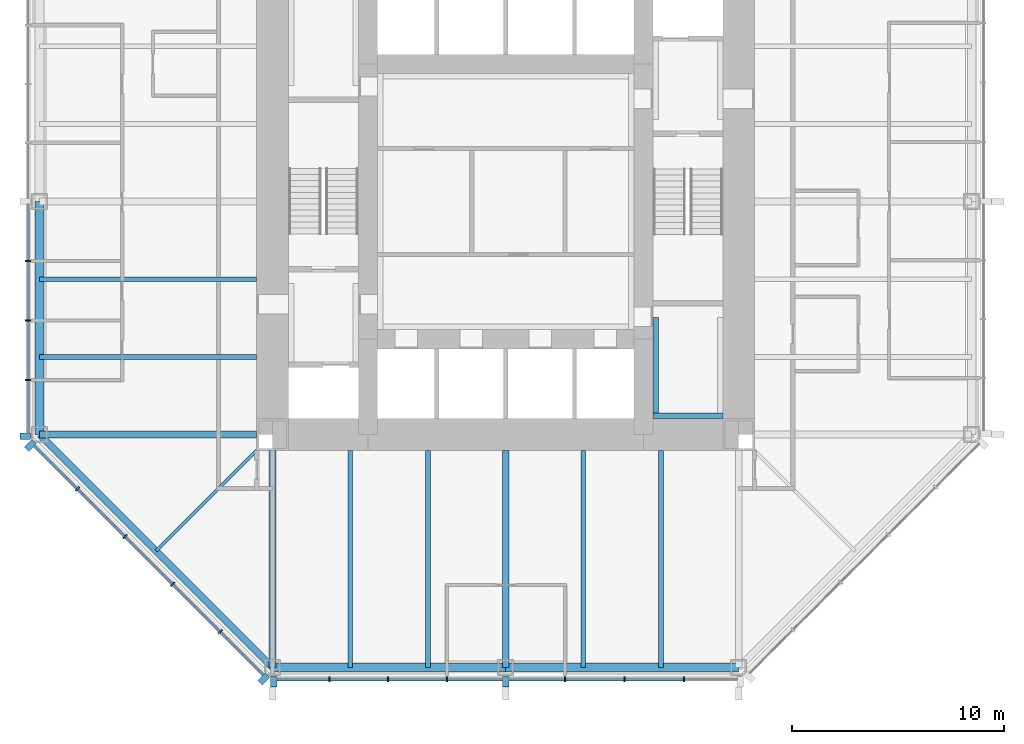
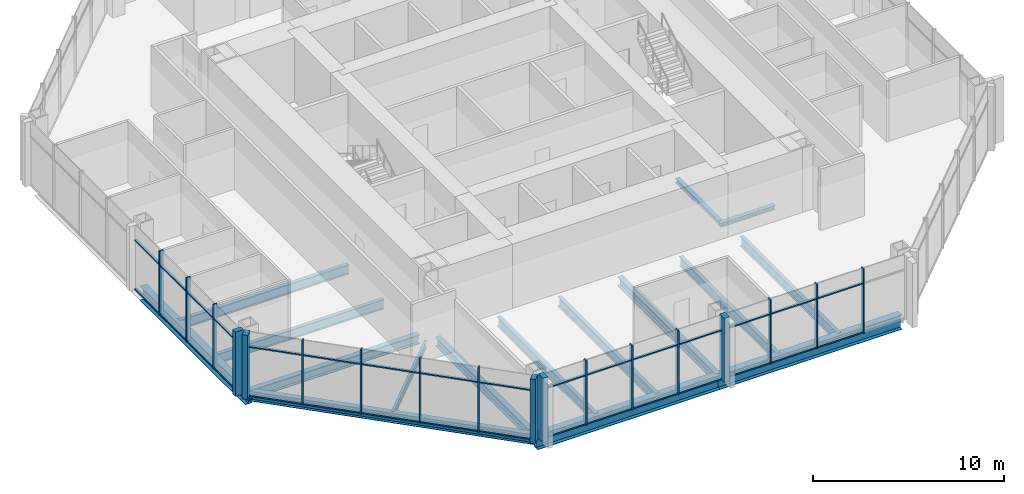
# One storey, part 2 of 12: 50 members, 16 beams, 3 elements without a shape of their own.
"""IFC4 building model written with IfcOpenShell, lengths in metres."""

from ifc_helpers import new_model, si_unit, direction, frame, origin, origin_2d, place, context, subcontext, project, spatial, rectangle, i_section, extrude, material, material_profile, profile_set, type_object, element, aggregate, save


model = new_model("IFC4")

# Units and contexts
model_context = context("Model", 3, precision=1e-05, world=origin(), true_north=direction((0.0, 1.0)))
body_context = subcontext(model_context, "Body", "Model", "MODEL_VIEW")
ifc_project = project(units=[si_unit("LENGTHUNIT", "METRE"), si_unit("AREAUNIT", "SQUARE_METRE"), si_unit("VOLUMEUNIT", "CUBIC_METRE"), si_unit("PLANEANGLEUNIT", "RADIAN"), si_unit("MASSUNIT", "GRAM", prefix="KILO")], contexts=[model_context])

# Site, building, storey
site_placement = place(None, origin())
site = spatial("IfcSite", under=ifc_project, at=site_placement, CompositionType="ELEMENT")
building_placement = place(site_placement, origin())
building = spatial("IfcBuilding", under=site, at=building_placement, Name="Trevanion Tower", CompositionType="ELEMENT")
storey_placement = place(building_placement, frame((0.0, 0.0, 133.60009765625)))
storey = spatial("IfcBuildingStorey", under=building, at=storey_placement, Name="L31", CompositionType="ELEMENT", Elevation=133.60009765625)

# Beams
ifc_material_1 = material(Name="Steel ASTM A992 Grade 50", Category="steel")
ifc_material_profile_1 = material_profile(ifc_material_1, i_section(OverallWidth=0.22900390625, OverallDepth=0.612060546875, WebThickness=0.011962890625, FlangeThickness=0.01953125, at=origin_2d()), Name="W24X84")
ifc_profile_set_1 = profile_set([ifc_material_profile_1], Name="Steel ASTM A992 Grade 50")
beam_type_1 = type_object("IfcBeamType", Name="B7 W24X84", PredefinedType="BEAM", material=ifc_profile_set_1)
for number, where, z_axis, x_axis, name in (
    (1, (-11.75, -3.666748046875, -0.49609375), (-1.0, 0.0, 0.0), (0.0, -1.0, 0.0), "B7 L31"),
    (2, (-11.75, -7.333251953125, -0.49609375), (-1.0, 0.0, 0.0), (0.0, -1.0, 0.0), "B7 L31"),
    (3, (-7.333251953125, -11.75, -0.49609375), (0.0, -1.0, 0.0), (1.0, 0.0, 0.0), "B7 L31"),
    (4, (-3.666748046875, -11.75, -0.49609375), (0.0, -1.0, 0.0), (1.0, 0.0, 0.0), "B7 L31"),
    (5, (3.666748046875, -11.75, -0.49609375), (0.0, -1.0, 0.0), (1.0, 0.0, 0.0), "B7 L31"),
    (6, (7.333251953125, -11.75, -0.49609375), (0.0, -1.0, 0.0), (1.0, 0.0, 0.0), "B7 L31"),
):
    element("IfcBeam", number, at=place(storey_placement, frame(where, z_axis=z_axis, x_axis=x_axis)), inside=storey, type_object=beam_type_1, Name=name, PredefinedType="BEAM", context=body_context, shape_type="SweptSolid", body=[
        extrude(i_section(OverallWidth=0.22900390625, OverallDepth=0.612060546875, WebThickness=0.011962890625, FlangeThickness=0.01953125, at=origin_2d()), origin(), (0.0, 0.0, 1.0), 10.25),
    ])
ifc_material_2 = material(Name="Steel ASTM A992 Grade 50", Category="steel")
ifc_material_profile_2 = material_profile(ifc_material_2, i_section(OverallWidth=0.15234375, OverallDepth=0.449462890625, WebThickness=0.007568359375, FlangeThickness=0.0107421875, at=origin_2d()), Name="W18X35")
ifc_profile_set_2 = profile_set([ifc_material_profile_2], Name="Steel ASTM A992 Grade 50")
beam_type_2 = type_object("IfcBeamType", Name="B8 W18X35", PredefinedType="BEAM", material=ifc_profile_set_2)
beam_1_placement = place(storey_placement, frame((-11.75, -11.75, -0.414794921875), z_axis=(-0.707106781187, -0.707106781187, 0.0), x_axis=(0.707106781187, -0.707106781187, 0.0)))
element("IfcBeam", 7, at=beam_1_placement, inside=storey, type_object=beam_type_2, Name="B8 L31", PredefinedType="BEAM", context=body_context, shape_type="SweptSolid", body=[
    extrude(i_section(OverallWidth=0.15234375, OverallDepth=0.449462890625, WebThickness=0.007568359375, FlangeThickness=0.0107421875, at=origin_2d()), origin(), (0.0, 0.0, 1.0), 6.717529296875),
])

# Curtain wall, members
ifc_material_3 = material(Name="Aluminium and glass", Category="aluminium")
curtain_wall_type = type_object("IfcCurtainWallType", Name="CW2 curtain wall", PredefinedType="USERDEFINED", material=ifc_material_3)
curtain_wall_1_placement = place(storey_placement, origin())
curtain_wall_1 = element("IfcCurtainWall", 8, at=curtain_wall_1_placement, inside=storey, type_object=curtain_wall_type, Name="CW2 L31 4", ObjectType="UNITISED CURTAIN WALL", PredefinedType="USERDEFINED")
ifc_material_4 = material(Name="Aluminium extrusion, anodised bronze", Category="aluminium")
ifc_material_profile_3 = material_profile(ifc_material_4, rectangle(XDim=0.074951171875, YDim=0.25, at=origin_2d()), Name="CW2 mullion")
ifc_profile_set_3 = profile_set([ifc_material_profile_3], Name="Aluminium extrusion, anodised bronze")
member_type_1 = type_object("IfcMemberType", Name="CW2 mullion", PredefinedType="MULLION", material=ifc_profile_set_3)
member_1_placement = place(storey_placement, frame((-22.550048828125, -2.806884765625, -0.190185546875), z_axis=(0.0, 0.0, 1.0), x_axis=(0.0, -1.0, 0.0)))
member_1 = element("IfcMember", 9, at=member_1_placement, type_object=member_type_1, Name="CW2 mullion 6", PredefinedType="MULLION", context=body_context, shape_type="SweptSolid", body=[
    extrude(rectangle(XDim=0.074951171875, YDim=0.25, at=origin_2d()), origin(), (0.0, 0.0, 1.0), 4.10009765625),
])
member_2_placement = place(storey_placement, frame((-22.550048828125, -5.614013671875, -0.190185546875), z_axis=(0.0, 0.0, 1.0), x_axis=(0.0, -1.0, 0.0)))
member_2 = element("IfcMember", 10, at=member_2_placement, type_object=member_type_1, Name="CW2 mullion 7", PredefinedType="MULLION", context=body_context, shape_type="SweptSolid", body=[
    extrude(rectangle(XDim=0.074951171875, YDim=0.25, at=origin_2d()), origin(), (0.0, 0.0, 1.0), 4.10009765625),
])
member_3_placement = place(storey_placement, frame((-22.550048828125, -8.4208984375, -0.190185546875), z_axis=(0.0, 0.0, 1.0), x_axis=(0.0, -1.0, 0.0)))
member_3 = element("IfcMember", 11, at=member_3_placement, type_object=member_type_1, Name="CW2 mullion 8", PredefinedType="MULLION", context=body_context, shape_type="SweptSolid", body=[
    extrude(rectangle(XDim=0.074951171875, YDim=0.25, at=origin_2d()), origin(), (0.0, 0.0, 1.0), 4.10009765625),
])

curtain_wall_2_placement = place(storey_placement, origin())
curtain_wall_2 = element("IfcCurtainWall", 12, at=curtain_wall_2_placement, inside=storey, type_object=curtain_wall_type, Name="CW2 L31 5", ObjectType="UNITISED CURTAIN WALL", PredefinedType="USERDEFINED")
member_4_placement = place(storey_placement, frame((-20.2119140625, -13.56591796875, -0.190185546875), z_axis=(0.0, 0.0, 1.0), x_axis=(0.707106781187, -0.707106781187, 0.0)))
member_4 = element("IfcMember", 13, at=member_4_placement, type_object=member_type_1, Name="CW2 mullion 2", PredefinedType="MULLION", context=body_context, shape_type="SweptSolid", body=[
    extrude(rectangle(XDim=0.074951171875, YDim=0.25, at=origin_2d()), origin(), (0.0, 0.0, 1.0), 4.10009765625),
])
member_5_placement = place(storey_placement, frame((-17.966064453125, -15.811767578125, -0.190185546875), z_axis=(0.0, 0.0, 1.0), x_axis=(0.707106781187, -0.707106781187, 0.0)))
member_5 = element("IfcMember", 14, at=member_5_placement, type_object=member_type_1, Name="CW2 mullion 3", PredefinedType="MULLION", context=body_context, shape_type="SweptSolid", body=[
    extrude(rectangle(XDim=0.074951171875, YDim=0.25, at=origin_2d()), origin(), (0.0, 0.0, 1.0), 4.10009765625),
])
member_6_placement = place(storey_placement, frame((-15.719970703125, -18.057861328125, -0.190185546875), z_axis=(0.0, 0.0, 1.0), x_axis=(0.707106781187, -0.707106781187, 0.0)))
member_6 = element("IfcMember", 15, at=member_6_placement, type_object=member_type_1, Name="CW2 mullion 4", PredefinedType="MULLION", context=body_context, shape_type="SweptSolid", body=[
    extrude(rectangle(XDim=0.074951171875, YDim=0.25, at=origin_2d()), origin(), (0.0, 0.0, 1.0), 4.10009765625),
])
member_7_placement = place(storey_placement, frame((-13.473876953125, -20.303955078125, -0.190185546875), z_axis=(0.0, 0.0, 1.0), x_axis=(0.707106781187, -0.707106781187, 0.0)))
member_7 = element("IfcMember", 16, at=member_7_placement, type_object=member_type_1, Name="CW2 mullion 5", PredefinedType="MULLION", context=body_context, shape_type="SweptSolid", body=[
    extrude(rectangle(XDim=0.074951171875, YDim=0.25, at=origin_2d()), origin(), (0.0, 0.0, 1.0), 4.10009765625),
])

curtain_wall_3_placement = place(storey_placement, origin())
curtain_wall_3 = element("IfcCurtainWall", 17, at=curtain_wall_3_placement, inside=storey, type_object=curtain_wall_type, Name="CW2 L31 6", ObjectType="UNITISED CURTAIN WALL", PredefinedType="USERDEFINED")
member_8_placement = place(storey_placement, frame((-8.323486328125, -22.550048828125, -0.190185546875), z_axis=(0.0, 0.0, 1.0), x_axis=(1.0, 0.0, 0.0)))
member_8 = element("IfcMember", 18, at=member_8_placement, type_object=member_type_1, Name="CW2 mullion 2", PredefinedType="MULLION", context=body_context, shape_type="SweptSolid", body=[
    extrude(rectangle(XDim=0.074951171875, YDim=0.25, at=origin_2d()), origin(), (0.0, 0.0, 1.0), 4.10009765625),
])
member_9_placement = place(storey_placement, frame((-5.548828125, -22.550048828125, -0.190185546875), z_axis=(0.0, 0.0, 1.0), x_axis=(1.0, 0.0, 0.0)))
member_9 = element("IfcMember", 19, at=member_9_placement, type_object=member_type_1, Name="CW2 mullion 3", PredefinedType="MULLION", context=body_context, shape_type="SweptSolid", body=[
    extrude(rectangle(XDim=0.074951171875, YDim=0.25, at=origin_2d()), origin(), (0.0, 0.0, 1.0), 4.10009765625),
])
member_10_placement = place(storey_placement, frame((-2.7744140625, -22.550048828125, -0.190185546875), z_axis=(0.0, 0.0, 1.0), x_axis=(1.0, 0.0, 0.0)))
member_10 = element("IfcMember", 20, at=member_10_placement, type_object=member_type_1, Name="CW2 mullion 4", PredefinedType="MULLION", context=body_context, shape_type="SweptSolid", body=[
    extrude(rectangle(XDim=0.074951171875, YDim=0.25, at=origin_2d()), origin(), (0.0, 0.0, 1.0), 4.10009765625),
])
member_11_placement = place(storey_placement, frame((2.806884765625, -22.550048828125, -0.190185546875), z_axis=(0.0, 0.0, 1.0), x_axis=(1.0, 0.0, 0.0)))
member_11 = element("IfcMember", 21, at=member_11_placement, type_object=member_type_1, Name="CW2 mullion 6", PredefinedType="MULLION", context=body_context, shape_type="SweptSolid", body=[
    extrude(rectangle(XDim=0.074951171875, YDim=0.25, at=origin_2d()), origin(), (0.0, 0.0, 1.0), 4.10009765625),
])
member_12_placement = place(storey_placement, frame((5.614013671875, -22.550048828125, -0.190185546875), z_axis=(0.0, 0.0, 1.0), x_axis=(1.0, 0.0, 0.0)))
member_12 = element("IfcMember", 22, at=member_12_placement, type_object=member_type_1, Name="CW2 mullion 7", PredefinedType="MULLION", context=body_context, shape_type="SweptSolid", body=[
    extrude(rectangle(XDim=0.074951171875, YDim=0.25, at=origin_2d()), origin(), (0.0, 0.0, 1.0), 4.10009765625),
])
member_13_placement = place(storey_placement, frame((8.4208984375, -22.550048828125, -0.190185546875), z_axis=(0.0, 0.0, 1.0), x_axis=(1.0, 0.0, 0.0)))
member_13 = element("IfcMember", 23, at=member_13_placement, type_object=member_type_1, Name="CW2 mullion 8", PredefinedType="MULLION", context=body_context, shape_type="SweptSolid", body=[
    extrude(rectangle(XDim=0.074951171875, YDim=0.25, at=origin_2d()), origin(), (0.0, 0.0, 1.0), 4.10009765625),
])

# Member
ifc_material_5 = material(Name="Aluminium extrusion, anodised bronze", Category="aluminium")
ifc_material_profile_4 = material_profile(ifc_material_5, rectangle(XDim=0.300048828125, YDim=0.5, at=origin_2d()), Name="CW2 pier mullion")
ifc_profile_set_4 = profile_set([ifc_material_profile_4], Name="Aluminium extrusion, anodised bronze")
member_type_2 = type_object("IfcMemberType", Name="CW2 pier mullion", PredefinedType="MULLION", material=ifc_profile_set_4)
member_14_placement = place(storey_placement, frame((-22.675048828125, -11.077880859375, -0.190185546875), z_axis=(0.0, 0.0, 1.0), x_axis=(0.0, -1.0, 0.0)))
member_14 = element("IfcMember", 24, at=member_14_placement, type_object=member_type_2, Name="CW2 pier mullion 9", PredefinedType="MULLION", context=body_context, shape_type="SweptSolid", body=[
    extrude(rectangle(XDim=0.300048828125, YDim=0.5, at=origin_2d()), origin(), (0.0, 0.0, 1.0), 4.10009765625),
])

member_15_placement = place(storey_placement, frame((-22.4404296875, -11.51416015625, -0.190185546875), z_axis=(0.0, 0.0, 1.0), x_axis=(0.707106781187, -0.707106781187, 0.0)))
member_15 = element("IfcMember", 25, at=member_15_placement, type_object=member_type_2, Name="CW2 pier mullion 1", PredefinedType="MULLION", context=body_context, shape_type="SweptSolid", body=[
    extrude(rectangle(XDim=0.300048828125, YDim=0.5, at=origin_2d()), origin(), (0.0, 0.0, 1.0), 4.10009765625),
])

member_16_placement = place(storey_placement, frame((-11.42236328125, -22.5322265625, -0.190185546875), z_axis=(0.0, 0.0, 1.0), x_axis=(0.707106781187, -0.707106781187, 0.0)))
member_16 = element("IfcMember", 26, at=member_16_placement, type_object=member_type_2, Name="CW2 pier mullion 6", PredefinedType="MULLION", context=body_context, shape_type="SweptSolid", body=[
    extrude(rectangle(XDim=0.300048828125, YDim=0.5, at=origin_2d()), origin(), (0.0, 0.0, 1.0), 4.10009765625),
])

member_17_placement = place(storey_placement, frame((-10.94775390625, -22.675048828125, -0.190185546875), z_axis=(0.0, 0.0, 1.0), x_axis=(1.0, 0.0, 0.0)))
member_17 = element("IfcMember", 27, at=member_17_placement, type_object=member_type_2, Name="CW2 pier mullion 1", PredefinedType="MULLION", context=body_context, shape_type="SweptSolid", body=[
    extrude(rectangle(XDim=0.300048828125, YDim=0.5, at=origin_2d()), origin(), (0.0, 0.0, 1.0), 4.10009765625),
])

member_18_placement = place(storey_placement, frame((0.0, -22.675048828125, -0.190185546875), z_axis=(0.0, 0.0, 1.0), x_axis=(1.0, 0.0, 0.0)))
member_18 = element("IfcMember", 28, at=member_18_placement, type_object=member_type_2, Name="CW2 pier mullion 5", PredefinedType="MULLION", context=body_context, shape_type="SweptSolid", body=[
    extrude(rectangle(XDim=0.300048828125, YDim=0.5, at=origin_2d()), origin(), (0.0, 0.0, 1.0), 4.10009765625),
])

ifc_material_6 = material(Name="Aluminium extrusion, anodised bronze", Category="aluminium")
ifc_material_profile_5 = material_profile(ifc_material_6, rectangle(XDim=0.14990234375, YDim=0.074951171875, at=origin_2d()), Name="CW2 transom")
ifc_profile_set_5 = profile_set([ifc_material_profile_5], Name="Aluminium extrusion, anodised bronze")
member_type_3 = type_object("IfcMemberType", Name="CW2 transom", PredefinedType="USERDEFINED", material=ifc_profile_set_5)
member_19_placement = place(storey_placement, frame((-22.550048828125, -0.14990234375, -0.152587890625), z_axis=(0.0, -1.0, 0.0), x_axis=(1.0, 0.0, 0.0)))
member_19 = element("IfcMember", 29, at=member_19_placement, type_object=member_type_3, Name="CW2 transom 5.1", ObjectType="TRANSOM", PredefinedType="USERDEFINED", context=body_context, shape_type="SweptSolid", body=[
    extrude(rectangle(XDim=0.14990234375, YDim=0.074951171875, at=origin_2d()), origin(), (0.0, 0.0, 1.0), 2.619384765625),
])

member_20_placement = place(storey_placement, frame((-22.550048828125, -0.14990234375, 2.9599609375), z_axis=(0.0, -1.0, 0.0), x_axis=(1.0, 0.0, 0.0)))
member_20 = element("IfcMember", 30, at=member_20_placement, type_object=member_type_3, Name="CW2 transom 5.2", ObjectType="TRANSOM", PredefinedType="USERDEFINED", context=body_context, shape_type="SweptSolid", body=[
    extrude(rectangle(XDim=0.14990234375, YDim=0.074951171875, at=origin_2d()), origin(), (0.0, 0.0, 1.0), 2.619384765625),
])

member_21_placement = place(storey_placement, frame((-22.550048828125, -2.844482421875, -0.152587890625), z_axis=(0.0, -1.0, 0.0), x_axis=(1.0, 0.0, 0.0)))
member_21 = element("IfcMember", 31, at=member_21_placement, type_object=member_type_3, Name="CW2 transom 6.1", ObjectType="TRANSOM", PredefinedType="USERDEFINED", context=body_context, shape_type="SweptSolid", body=[
    extrude(rectangle(XDim=0.14990234375, YDim=0.074951171875, at=origin_2d()), origin(), (0.0, 0.0, 1.0), 2.73193359375),
])

member_22_placement = place(storey_placement, frame((-22.550048828125, -2.844482421875, 2.9599609375), z_axis=(0.0, -1.0, 0.0), x_axis=(1.0, 0.0, 0.0)))
member_22 = element("IfcMember", 32, at=member_22_placement, type_object=member_type_3, Name="CW2 transom 6.2", ObjectType="TRANSOM", PredefinedType="USERDEFINED", context=body_context, shape_type="SweptSolid", body=[
    extrude(rectangle(XDim=0.14990234375, YDim=0.074951171875, at=origin_2d()), origin(), (0.0, 0.0, 1.0), 2.73193359375),
])

member_23_placement = place(storey_placement, frame((-22.550048828125, -5.6513671875, -0.152587890625), z_axis=(0.0, -1.0, 0.0), x_axis=(1.0, 0.0, 0.0)))
member_23 = element("IfcMember", 33, at=member_23_placement, type_object=member_type_3, Name="CW2 transom 7.1", ObjectType="TRANSOM", PredefinedType="USERDEFINED", context=body_context, shape_type="SweptSolid", body=[
    extrude(rectangle(XDim=0.14990234375, YDim=0.074951171875, at=origin_2d()), origin(), (0.0, 0.0, 1.0), 2.73193359375),
])

member_24_placement = place(storey_placement, frame((-22.550048828125, -5.6513671875, 2.9599609375), z_axis=(0.0, -1.0, 0.0), x_axis=(1.0, 0.0, 0.0)))
member_24 = element("IfcMember", 34, at=member_24_placement, type_object=member_type_3, Name="CW2 transom 7.2", ObjectType="TRANSOM", PredefinedType="USERDEFINED", context=body_context, shape_type="SweptSolid", body=[
    extrude(rectangle(XDim=0.14990234375, YDim=0.074951171875, at=origin_2d()), origin(), (0.0, 0.0, 1.0), 2.73193359375),
])

member_25_placement = place(storey_placement, frame((-22.550048828125, -8.45849609375, -0.152587890625), z_axis=(0.0, -1.0, 0.0), x_axis=(1.0, 0.0, 0.0)))
member_25 = element("IfcMember", 35, at=member_25_placement, type_object=member_type_3, Name="CW2 transom 8.1", ObjectType="TRANSOM", PredefinedType="USERDEFINED", context=body_context, shape_type="SweptSolid", body=[
    extrude(rectangle(XDim=0.14990234375, YDim=0.074951171875, at=origin_2d()), origin(), (0.0, 0.0, 1.0), 2.46923828125),
])

member_26_placement = place(storey_placement, frame((-22.550048828125, -8.45849609375, 2.9599609375), z_axis=(0.0, -1.0, 0.0), x_axis=(1.0, 0.0, 0.0)))
member_26 = element("IfcMember", 36, at=member_26_placement, type_object=member_type_3, Name="CW2 transom 8.2", ObjectType="TRANSOM", PredefinedType="USERDEFINED", context=body_context, shape_type="SweptSolid", body=[
    extrude(rectangle(XDim=0.14990234375, YDim=0.074951171875, at=origin_2d()), origin(), (0.0, 0.0, 1.0), 2.46923828125),
])

aggregate(curtain_wall_1, [member_1, member_2, member_3, member_14, member_19, member_20, member_21, member_22, member_23, member_24, member_25, member_26])

member_27_placement = place(storey_placement, frame((-22.245849609375, -11.531982421875, -0.152587890625), z_axis=(0.707106781187, -0.707106781187, 0.0), x_axis=(0.707106781187, 0.707106781187, 0.0)))
member_27 = element("IfcMember", 37, at=member_27_placement, type_object=member_type_3, Name="CW2 transom 1.1", ObjectType="TRANSOM", PredefinedType="USERDEFINED", context=body_context, shape_type="SweptSolid", body=[
    extrude(rectangle(XDim=0.14990234375, YDim=0.074951171875, at=origin_2d()), origin(), (0.0, 0.0, 1.0), 2.8388671875),
])

member_28_placement = place(storey_placement, frame((-22.245849609375, -11.531982421875, 2.9599609375), z_axis=(0.707106781187, -0.707106781187, 0.0), x_axis=(0.707106781187, 0.707106781187, 0.0)))
member_28 = element("IfcMember", 38, at=member_28_placement, type_object=member_type_3, Name="CW2 transom 1.2", ObjectType="TRANSOM", PredefinedType="USERDEFINED", context=body_context, shape_type="SweptSolid", body=[
    extrude(rectangle(XDim=0.14990234375, YDim=0.074951171875, at=origin_2d()), origin(), (0.0, 0.0, 1.0), 2.8388671875),
])

member_29_placement = place(storey_placement, frame((-20.185546875, -13.59228515625, -0.152587890625), z_axis=(0.707106781187, -0.707106781187, 0.0), x_axis=(0.707106781187, 0.707106781187, 0.0)))
member_29 = element("IfcMember", 39, at=member_29_placement, type_object=member_type_3, Name="CW2 transom 2.1", ObjectType="TRANSOM", PredefinedType="USERDEFINED", context=body_context, shape_type="SweptSolid", body=[
    extrude(rectangle(XDim=0.14990234375, YDim=0.074951171875, at=origin_2d()), origin(), (0.0, 0.0, 1.0), 3.1015625),
])

member_30_placement = place(storey_placement, frame((-20.185546875, -13.59228515625, 2.9599609375), z_axis=(0.707106781187, -0.707106781187, 0.0), x_axis=(0.707106781187, 0.707106781187, 0.0)))
member_30 = element("IfcMember", 40, at=member_30_placement, type_object=member_type_3, Name="CW2 transom 2.2", ObjectType="TRANSOM", PredefinedType="USERDEFINED", context=body_context, shape_type="SweptSolid", body=[
    extrude(rectangle(XDim=0.14990234375, YDim=0.074951171875, at=origin_2d()), origin(), (0.0, 0.0, 1.0), 3.1015625),
])

member_31_placement = place(storey_placement, frame((-17.939453125, -15.83837890625, -0.152587890625), z_axis=(0.707106781187, -0.707106781187, 0.0), x_axis=(0.707106781187, 0.707106781187, 0.0)))
member_31 = element("IfcMember", 41, at=member_31_placement, type_object=member_type_3, Name="CW2 transom 3.1", ObjectType="TRANSOM", PredefinedType="USERDEFINED", context=body_context, shape_type="SweptSolid", body=[
    extrude(rectangle(XDim=0.14990234375, YDim=0.074951171875, at=origin_2d()), origin(), (0.0, 0.0, 1.0), 3.1015625),
])

member_32_placement = place(storey_placement, frame((-17.939453125, -15.83837890625, 2.9599609375), z_axis=(0.707106781187, -0.707106781187, 0.0), x_axis=(0.707106781187, 0.707106781187, 0.0)))
member_32 = element("IfcMember", 42, at=member_32_placement, type_object=member_type_3, Name="CW2 transom 3.2", ObjectType="TRANSOM", PredefinedType="USERDEFINED", context=body_context, shape_type="SweptSolid", body=[
    extrude(rectangle(XDim=0.14990234375, YDim=0.074951171875, at=origin_2d()), origin(), (0.0, 0.0, 1.0), 3.1015625),
])

member_33_placement = place(storey_placement, frame((-15.693359375, -18.08447265625, -0.152587890625), z_axis=(0.707106781187, -0.707106781187, 0.0), x_axis=(0.707106781187, 0.707106781187, 0.0)))
member_33 = element("IfcMember", 43, at=member_33_placement, type_object=member_type_3, Name="CW2 transom 4.1", ObjectType="TRANSOM", PredefinedType="USERDEFINED", context=body_context, shape_type="SweptSolid", body=[
    extrude(rectangle(XDim=0.14990234375, YDim=0.074951171875, at=origin_2d()), origin(), (0.0, 0.0, 1.0), 3.10107421875),
])

member_34_placement = place(storey_placement, frame((-15.693359375, -18.08447265625, 2.9599609375), z_axis=(0.707106781187, -0.707106781187, 0.0), x_axis=(0.707106781187, 0.707106781187, 0.0)))
member_34 = element("IfcMember", 44, at=member_34_placement, type_object=member_type_3, Name="CW2 transom 4.2", ObjectType="TRANSOM", PredefinedType="USERDEFINED", context=body_context, shape_type="SweptSolid", body=[
    extrude(rectangle(XDim=0.14990234375, YDim=0.074951171875, at=origin_2d()), origin(), (0.0, 0.0, 1.0), 3.10107421875),
])

member_35_placement = place(storey_placement, frame((-13.447509765625, -20.33056640625, -0.152587890625), z_axis=(0.707149778163, -0.707063781595, 0.0), x_axis=(0.707063781595, 0.707149778163, 0.0)))
member_35 = element("IfcMember", 45, at=member_35_placement, type_object=member_type_3, Name="CW2 transom 5.1", ObjectType="TRANSOM", PredefinedType="USERDEFINED", context=body_context, shape_type="SweptSolid", body=[
    extrude(rectangle(XDim=0.14990234375, YDim=0.074951171875, at=origin_2d()), origin(), (0.0, 0.0, 1.0), 2.8388671875),
])

member_36_placement = place(storey_placement, frame((-13.447509765625, -20.33056640625, 2.9599609375), z_axis=(0.707149778163, -0.707063781595, 0.0), x_axis=(0.707063781595, 0.707149778163, 0.0)))
member_36 = element("IfcMember", 46, at=member_36_placement, type_object=member_type_3, Name="CW2 transom 5.2", ObjectType="TRANSOM", PredefinedType="USERDEFINED", context=body_context, shape_type="SweptSolid", body=[
    extrude(rectangle(XDim=0.14990234375, YDim=0.074951171875, at=origin_2d()), origin(), (0.0, 0.0, 1.0), 2.8388671875),
])

aggregate(curtain_wall_2, [member_15, member_4, member_5, member_6, member_7, member_16, member_27, member_28, member_29, member_30, member_31, member_32, member_33, member_34, member_35, member_36])

member_37_placement = place(storey_placement, frame((-10.7978515625, -22.550048828125, -0.152587890625), z_axis=(1.0, 0.0, 0.0), x_axis=(0.0, 1.0, 0.0)))
member_37 = element("IfcMember", 47, at=member_37_placement, type_object=member_type_3, Name="CW2 transom 1.1", ObjectType="TRANSOM", PredefinedType="USERDEFINED", context=body_context, shape_type="SweptSolid", body=[
    extrude(rectangle(XDim=0.14990234375, YDim=0.074951171875, at=origin_2d()), origin(), (0.0, 0.0, 1.0), 2.43701171875),
])

member_38_placement = place(storey_placement, frame((-10.7978515625, -22.550048828125, 2.9599609375), z_axis=(1.0, 0.0, 0.0), x_axis=(0.0, 1.0, 0.0)))
member_38 = element("IfcMember", 48, at=member_38_placement, type_object=member_type_3, Name="CW2 transom 1.2", ObjectType="TRANSOM", PredefinedType="USERDEFINED", context=body_context, shape_type="SweptSolid", body=[
    extrude(rectangle(XDim=0.14990234375, YDim=0.074951171875, at=origin_2d()), origin(), (0.0, 0.0, 1.0), 2.43701171875),
])

member_39_placement = place(storey_placement, frame((-8.285888671875, -22.550048828125, -0.152587890625), z_axis=(1.0, 0.0, 0.0), x_axis=(0.0, 1.0, 0.0)))
member_39 = element("IfcMember", 49, at=member_39_placement, type_object=member_type_3, Name="CW2 transom 2.1", ObjectType="TRANSOM", PredefinedType="USERDEFINED", context=body_context, shape_type="SweptSolid", body=[
    extrude(rectangle(XDim=0.14990234375, YDim=0.074951171875, at=origin_2d()), origin(), (0.0, 0.0, 1.0), 2.699462890625),
])

member_40_placement = place(storey_placement, frame((-8.285888671875, -22.550048828125, 2.9599609375), z_axis=(1.0, 0.0, 0.0), x_axis=(0.0, 1.0, 0.0)))
member_40 = element("IfcMember", 50, at=member_40_placement, type_object=member_type_3, Name="CW2 transom 2.2", ObjectType="TRANSOM", PredefinedType="USERDEFINED", context=body_context, shape_type="SweptSolid", body=[
    extrude(rectangle(XDim=0.14990234375, YDim=0.074951171875, at=origin_2d()), origin(), (0.0, 0.0, 1.0), 2.699462890625),
])

member_41_placement = place(storey_placement, frame((-5.511474609375, -22.550048828125, -0.152587890625), z_axis=(1.0, 0.0, 0.0), x_axis=(0.0, 1.0, 0.0)))
member_41 = element("IfcMember", 51, at=member_41_placement, type_object=member_type_3, Name="CW2 transom 3.1", ObjectType="TRANSOM", PredefinedType="USERDEFINED", context=body_context, shape_type="SweptSolid", body=[
    extrude(rectangle(XDim=0.14990234375, YDim=0.074951171875, at=origin_2d()), origin(), (0.0, 0.0, 1.0), 2.699462890625),
])

member_42_placement = place(storey_placement, frame((-5.511474609375, -22.550048828125, 2.9599609375), z_axis=(1.0, 0.0, 0.0), x_axis=(0.0, 1.0, 0.0)))
member_42 = element("IfcMember", 52, at=member_42_placement, type_object=member_type_3, Name="CW2 transom 3.2", ObjectType="TRANSOM", PredefinedType="USERDEFINED", context=body_context, shape_type="SweptSolid", body=[
    extrude(rectangle(XDim=0.14990234375, YDim=0.074951171875, at=origin_2d()), origin(), (0.0, 0.0, 1.0), 2.699462890625),
])

member_43_placement = place(storey_placement, frame((-2.737060546875, -22.550048828125, -0.152587890625), z_axis=(1.0, 0.0, 0.0), x_axis=(0.0, 1.0, 0.0)))
member_43 = element("IfcMember", 53, at=member_43_placement, type_object=member_type_3, Name="CW2 transom 4.1", ObjectType="TRANSOM", PredefinedType="USERDEFINED", context=body_context, shape_type="SweptSolid", body=[
    extrude(rectangle(XDim=0.14990234375, YDim=0.074951171875, at=origin_2d()), origin(), (0.0, 0.0, 1.0), 2.587158203125),
])

member_44_placement = place(storey_placement, frame((-2.737060546875, -22.550048828125, 2.9599609375), z_axis=(1.0, 0.0, 0.0), x_axis=(0.0, 1.0, 0.0)))
member_44 = element("IfcMember", 54, at=member_44_placement, type_object=member_type_3, Name="CW2 transom 4.2", ObjectType="TRANSOM", PredefinedType="USERDEFINED", context=body_context, shape_type="SweptSolid", body=[
    extrude(rectangle(XDim=0.14990234375, YDim=0.074951171875, at=origin_2d()), origin(), (0.0, 0.0, 1.0), 2.587158203125),
])

member_45_placement = place(storey_placement, frame((0.14990234375, -22.550048828125, -0.152587890625), z_axis=(1.0, 0.0, 0.0), x_axis=(0.0, 1.0, 0.0)))
member_45 = element("IfcMember", 55, at=member_45_placement, type_object=member_type_3, Name="CW2 transom 5.1", ObjectType="TRANSOM", PredefinedType="USERDEFINED", context=body_context, shape_type="SweptSolid", body=[
    extrude(rectangle(XDim=0.14990234375, YDim=0.074951171875, at=origin_2d()), origin(), (0.0, 0.0, 1.0), 2.619384765625),
])

member_46_placement = place(storey_placement, frame((0.14990234375, -22.550048828125, 2.9599609375), z_axis=(1.0, 0.0, 0.0), x_axis=(0.0, 1.0, 0.0)))
member_46 = element("IfcMember", 56, at=member_46_placement, type_object=member_type_3, Name="CW2 transom 5.2", ObjectType="TRANSOM", PredefinedType="USERDEFINED", context=body_context, shape_type="SweptSolid", body=[
    extrude(rectangle(XDim=0.14990234375, YDim=0.074951171875, at=origin_2d()), origin(), (0.0, 0.0, 1.0), 2.619384765625),
])

member_47_placement = place(storey_placement, frame((2.844482421875, -22.550048828125, -0.152587890625), z_axis=(1.0, 0.0, 0.0), x_axis=(0.0, 1.0, 0.0)))
member_47 = element("IfcMember", 57, at=member_47_placement, type_object=member_type_3, Name="CW2 transom 6.1", ObjectType="TRANSOM", PredefinedType="USERDEFINED", context=body_context, shape_type="SweptSolid", body=[
    extrude(rectangle(XDim=0.14990234375, YDim=0.074951171875, at=origin_2d()), origin(), (0.0, 0.0, 1.0), 2.73193359375),
])

member_48_placement = place(storey_placement, frame((2.844482421875, -22.550048828125, 2.9599609375), z_axis=(1.0, 0.0, 0.0), x_axis=(0.0, 1.0, 0.0)))
member_48 = element("IfcMember", 58, at=member_48_placement, type_object=member_type_3, Name="CW2 transom 6.2", ObjectType="TRANSOM", PredefinedType="USERDEFINED", context=body_context, shape_type="SweptSolid", body=[
    extrude(rectangle(XDim=0.14990234375, YDim=0.074951171875, at=origin_2d()), origin(), (0.0, 0.0, 1.0), 2.73193359375),
])

member_49_placement = place(storey_placement, frame((5.6513671875, -22.550048828125, -0.152587890625), z_axis=(1.0, 0.0, 0.0), x_axis=(0.0, 1.0, 0.0)))
member_49 = element("IfcMember", 59, at=member_49_placement, type_object=member_type_3, Name="CW2 transom 7.1", ObjectType="TRANSOM", PredefinedType="USERDEFINED", context=body_context, shape_type="SweptSolid", body=[
    extrude(rectangle(XDim=0.14990234375, YDim=0.074951171875, at=origin_2d()), origin(), (0.0, 0.0, 1.0), 2.73193359375),
])

member_50_placement = place(storey_placement, frame((5.6513671875, -22.550048828125, 2.9599609375), z_axis=(1.0, 0.0, 0.0), x_axis=(0.0, 1.0, 0.0)))
member_50 = element("IfcMember", 60, at=member_50_placement, type_object=member_type_3, Name="CW2 transom 7.2", ObjectType="TRANSOM", PredefinedType="USERDEFINED", context=body_context, shape_type="SweptSolid", body=[
    extrude(rectangle(XDim=0.14990234375, YDim=0.074951171875, at=origin_2d()), origin(), (0.0, 0.0, 1.0), 2.73193359375),
])

aggregate(curtain_wall_3, [member_17, member_8, member_9, member_10, member_18, member_11, member_12, member_13, member_37, member_38, member_39, member_40, member_41, member_42, member_43, member_44, member_45, member_46, member_47, member_48, member_49, member_50])

# Beams
ifc_material_7 = material(Name="Steel ASTM A992 Grade 50", Category="steel")
ifc_material_profile_6 = material_profile(ifc_material_7, i_section(OverallWidth=0.320068359375, OverallDepth=0.584228515625, WebThickness=0.023193359375, FlangeThickness=0.04150390625, at=origin_2d()), Name="W21X201")
ifc_profile_set_6 = profile_set([ifc_material_profile_6], Name="Steel ASTM A992 Grade 50")
beam_type_3 = type_object("IfcBeamType", Name="G4 W21X201", PredefinedType="BEAM", material=ifc_profile_set_6)
for number, where, z_axis, x_axis, name in (
    (61, (-11.75, -11.0, -0.482177734375), (-1.0, 0.0, 0.0), (0.0, -1.0, 0.0), "G4 L31"),
    (62, (-11.0, -11.75, -0.482177734375), (0.0, -1.0, 0.0), (1.0, 0.0, 0.0), "G4 L31"),
    (63, (0.0, -11.75, -0.482177734375), (0.0, -1.0, 0.0), (1.0, 0.0, 0.0), "G4 L31"),
):
    element("IfcBeam", number, at=place(storey_placement, frame(where, z_axis=z_axis, x_axis=x_axis)), inside=storey, type_object=beam_type_3, Name=name, PredefinedType="BEAM", context=body_context, shape_type="SweptSolid", body=[
        extrude(i_section(OverallWidth=0.320068359375, OverallDepth=0.584228515625, WebThickness=0.023193359375, FlangeThickness=0.04150390625, at=origin_2d()), origin(), (0.0, 0.0, 1.0), 10.25),
    ])
ifc_material_8 = material(Name="Steel ASTM A992 Grade 50", Category="steel")
ifc_material_profile_7 = material_profile(ifc_material_8, i_section(OverallWidth=0.256591796875, OverallDepth=0.26416015625, WebThickness=0.011962890625, FlangeThickness=0.01953125, at=origin_2d()), Name="W10X68")
ifc_profile_set_7 = profile_set([ifc_material_profile_7], Name="Steel ASTM A992 Grade 50")
beam_type_4 = type_object("IfcBeamType", Name="LB1 W10X68", PredefinedType="BEAM", material=ifc_profile_set_7)
beam_2_placement = place(storey_placement, frame((7.078369140625, -10.25, -0.332275390625), z_axis=(0.0, 1.0, 0.0), x_axis=(-1.0, 0.0, 0.0)))
element("IfcBeam", 64, at=beam_2_placement, inside=storey, type_object=beam_type_4, Name="LB1 L31", PredefinedType="BEAM", context=body_context, shape_type="SweptSolid", body=[
    extrude(i_section(OverallWidth=0.256591796875, OverallDepth=0.26416015625, WebThickness=0.011962890625, FlangeThickness=0.01953125, at=origin_2d()), origin(), (0.0, 0.0, 1.0), 4.77490234375),
])
beam_3_placement = place(storey_placement, frame((6.949951171875, -10.12158203125, -0.332275390625), z_axis=(1.0, 0.0, 0.0), x_axis=(0.0, 1.0, 0.0)))
element("IfcBeam", 65, at=beam_3_placement, inside=storey, type_object=beam_type_4, Name="LB1 L31", PredefinedType="BEAM", context=body_context, shape_type="SweptSolid", body=[
    extrude(i_section(OverallWidth=0.256591796875, OverallDepth=0.26416015625, WebThickness=0.011962890625, FlangeThickness=0.01953125, at=origin_2d()), origin(), (0.0, 0.0, 1.0), 3.300048828125),
])
ifc_material_9 = material(Name="Steel ASTM A992 Grade 50", Category="steel")
ifc_material_profile_8 = material_profile(ifc_material_9, i_section(OverallWidth=0.419189453125, OverallDepth=0.927001953125, WebThickness=0.019287109375, FlangeThickness=0.031982421875, at=origin_2d()), Name="W36X231")
ifc_profile_set_8 = profile_set([ifc_material_profile_8], Name="Steel ASTM A992 Grade 50")
beam_type_5 = type_object("IfcBeamType", Name="SB4 W36X231", PredefinedType="SPANDREL", material=ifc_profile_set_8)
for number, where, z_axis, x_axis, name in (
    (66, (-22.0, 0.0, -0.65380859375), (0.0, -1.0, 0.0), (1.0, 0.0, 0.0), "SB4 L31"),
    (67, (-11.0, -22.0, -0.65380859375), (1.0, 0.0, 0.0), (0.0, 1.0, 0.0), "SB4 L31"),
    (68, (0.0, -22.0, -0.65380859375), (1.0, 0.0, 0.0), (0.0, 1.0, 0.0), "SB4 L31"),
):
    element("IfcBeam", number, at=place(storey_placement, frame(where, z_axis=z_axis, x_axis=x_axis)), inside=storey, type_object=beam_type_5, Name=name, PredefinedType="SPANDREL", context=body_context, shape_type="SweptSolid", body=[
        extrude(i_section(OverallWidth=0.419189453125, OverallDepth=0.927001953125, WebThickness=0.019287109375, FlangeThickness=0.031982421875, at=origin_2d()), origin(), (0.0, 0.0, 1.0), 11.0),
    ])
ifc_material_10 = material(Name="Steel ASTM A992 Grade 50", Category="steel")
ifc_material_profile_9 = material_profile(ifc_material_10, i_section(OverallWidth=0.32763671875, OverallDepth=0.62744140625, WebThickness=0.0166015625, FlangeThickness=0.027587890625, at=origin_2d()), Name="W24X146")
ifc_profile_set_9 = profile_set([ifc_material_profile_9], Name="Steel ASTM A992 Grade 50")
beam_type_6 = type_object("IfcBeamType", Name="SB5 W24X146", PredefinedType="SPANDREL", material=ifc_profile_set_9)
beam_4_placement = place(storey_placement, frame((-22.0, -11.0, -0.50390625), z_axis=(0.707106781187, -0.707106781187, 0.0), x_axis=(0.707106781187, 0.707106781187, 0.0)))
element("IfcBeam", 69, at=beam_4_placement, inside=storey, type_object=beam_type_6, Name="SB5 L31", PredefinedType="SPANDREL", context=body_context, shape_type="SweptSolid", body=[
    extrude(i_section(OverallWidth=0.32763671875, OverallDepth=0.62744140625, WebThickness=0.0166015625, FlangeThickness=0.027587890625, at=origin_2d()), origin(), (0.0, 0.0, 1.0), 15.556396484375),
])

save(model, "model.ifc")
